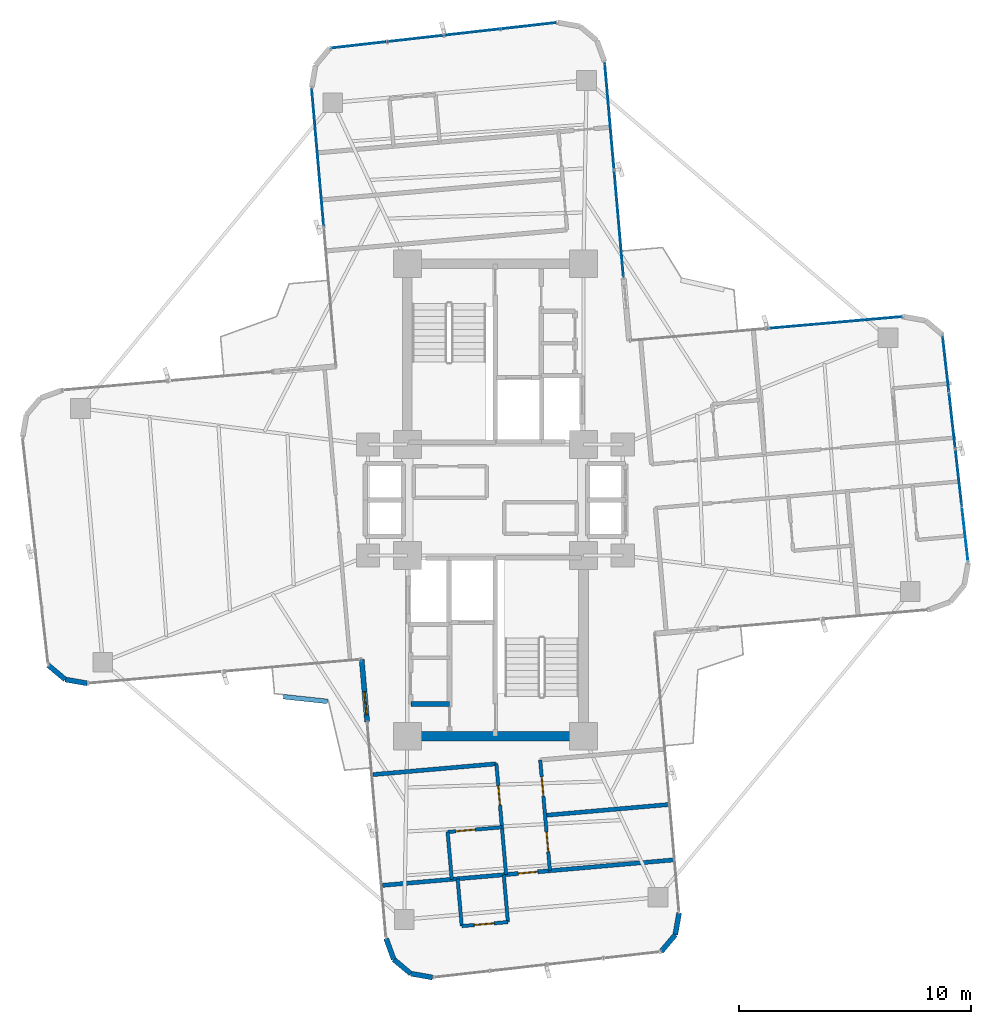
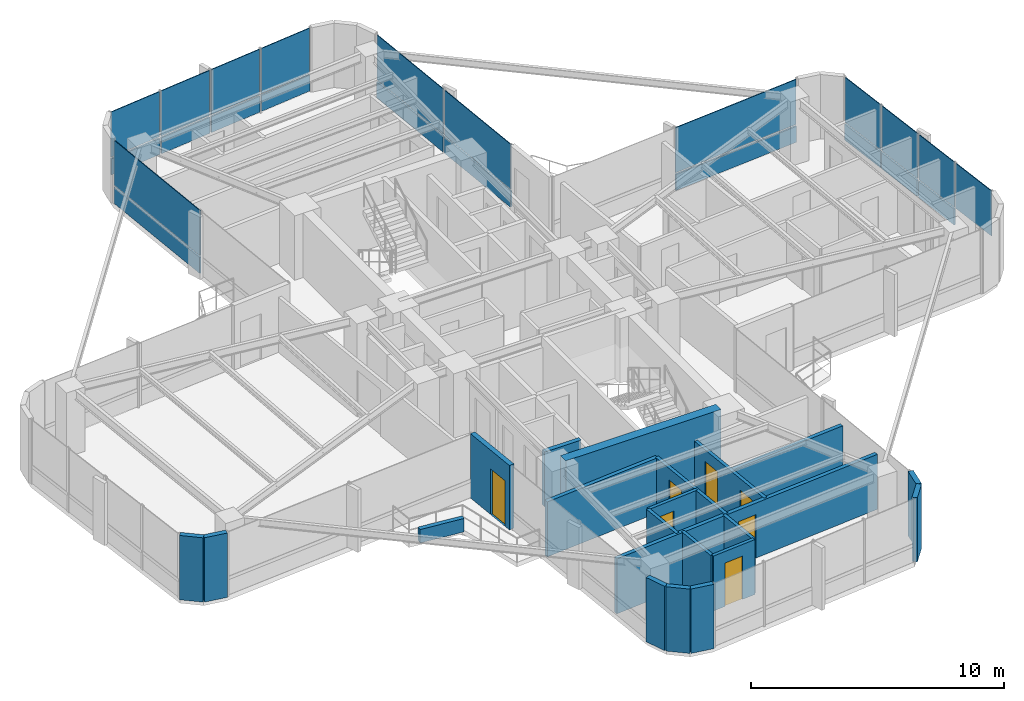
# One storey, part 20 of 24: 23 plates, 21 walls, 7 doors, 7 openings, 5 elements without a shape of their own.
"""IFC4 building model written with IfcOpenShell, lengths in metres."""

from ifc_helpers import new_model, si_unit, direction, frame, frame_2d, origin, origin_2d, place, context, subcontext, project, spatial, rectangle, extrude, source, transform, mapped, material, layer, layer_set, type_object, element, fill, aggregate, save


model = new_model("IFC4")

# Units and contexts
model_context = context("Model", 3, precision=1e-05, world=origin(), true_north=direction((0.0, 1.0)))
body_context = subcontext(model_context, "Body", "Model", "MODEL_VIEW")
ifc_project = project(units=[si_unit("LENGTHUNIT", "METRE"), si_unit("AREAUNIT", "SQUARE_METRE"), si_unit("VOLUMEUNIT", "CUBIC_METRE"), si_unit("PLANEANGLEUNIT", "RADIAN"), si_unit("MASSUNIT", "GRAM", prefix="KILO")], contexts=[model_context])

# Site, building, storey
site_placement = place(None, origin())
site = spatial("IfcSite", under=ifc_project, at=site_placement, CompositionType="ELEMENT")
building_placement = place(site_placement, origin())
building = spatial("IfcBuilding", under=site, at=building_placement, Name="Sahyath Konkavel Grand Hotel", CompositionType="ELEMENT")
storey_placement = place(building_placement, frame((0.0, 0.0, 164.0)))
storey = spatial("IfcBuildingStorey", under=building, at=storey_placement, Name="L45", CompositionType="ELEMENT", Elevation=164.0)

# Curtain wall, plates
ifc_material_1 = material(Name="Anodised Bronze Aluminium & Low-E Glazing", Category="aluminium")
curtain_wall_type = type_object("IfcCurtainWallType", Name="CW-ZONE3", PredefinedType="NOTDEFINED", material=ifc_material_1)
curtain_wall_1_placement = place(storey_placement, origin())
curtain_wall_1 = element("IfcCurtainWall", 1, at=curtain_wall_1_placement, inside=storey, type_object=curtain_wall_type, Name="L45 Unitised Curtain Wall F4", PredefinedType="NOTDEFINED")
ifc_material_2 = material(Name="Warm Buff Sandstone Cladding", Category="masonry")
ifc_layer_1 = layer(ifc_material_2, 0.074951171875)
ifc_layer_set_1 = layer_set([ifc_layer_1], Name="Warm Buff Sandstone Cladding")
plate_type_1 = type_object("IfcPlateType", Name="PNL-SPANDREL-STONE", PredefinedType="SHEET", material=ifc_layer_set_1)
shared_shape_1 = source(origin(), body_context, "Body", "SweptSolid", [
    extrude(rectangle(XDim=2.382080078125, YDim=0.074951171875, at=origin_2d()), origin(), (0.0, 0.0, 1.0), 0.77001953125),
])
plate_1_placement = place(storey_placement, frame((19.99755859375, 0.978515625, 0.0400390625), z_axis=(0.0, 0.0, 1.0), x_axis=(-0.111989252568, 0.993709417943, 0.0)))
plate_1 = element("IfcPlate", 2, at=plate_1_placement, type_object=plate_type_1, Name="L45 Sandstone Relief Spandrel Panel F4-1", PredefinedType="SHEET", context=body_context, shape_type="MappedRepresentation", body=[
    mapped(shared_shape_1, transform((0.0, 0.0, 0.0), scale=1.0)),
])
plate_2_placement = place(storey_placement, frame((19.7216796875, 3.425048828125, 0.0400390625), z_axis=(0.0, 0.0, 1.0), x_axis=(-0.111989252568, 0.993709417943, 0.0)))
plate_2 = element("IfcPlate", 3, at=plate_2_placement, type_object=plate_type_1, Name="L45 Sandstone Relief Spandrel Panel F4-2", PredefinedType="SHEET", context=body_context, shape_type="MappedRepresentation", body=[
    mapped(shared_shape_1, transform((0.0, 0.0, 0.0), scale=1.0)),
])
plate_3_placement = place(storey_placement, frame((19.446044921875, 5.87158203125, 0.0400390625), z_axis=(0.0, 0.0, 1.0), x_axis=(-0.111989252568, 0.993709417943, 0.0)))
plate_3 = element("IfcPlate", 4, at=plate_3_placement, type_object=plate_type_1, Name="L45 Sandstone Relief Spandrel Panel F4-3", PredefinedType="SHEET", context=body_context, shape_type="MappedRepresentation", body=[
    mapped(shared_shape_1, transform((0.0, 0.0, 0.0), scale=1.0)),
])

curtain_wall_2_placement = place(storey_placement, origin())
curtain_wall_2 = element("IfcCurtainWall", 5, at=curtain_wall_2_placement, inside=storey, type_object=curtain_wall_type, Name="L45 Unitised Curtain Wall F12", PredefinedType="NOTDEFINED")
plate_4_placement = place(storey_placement, frame((1.45068359375, 20.47265625, 0.0400390625), z_axis=(0.0, 0.0, 1.0), x_axis=(-0.993707463211, -0.112006596052, 0.0)))
plate_4 = element("IfcPlate", 6, at=plate_4_placement, type_object=plate_type_1, Name="L45 Sandstone Relief Spandrel Panel F12-0", PredefinedType="SHEET", context=body_context, shape_type="MappedRepresentation", body=[
    mapped(shared_shape_1, transform((0.0, 0.0, 0.0), scale=1.0)),
])
plate_5_placement = place(storey_placement, frame((-0.995849609375, 20.197021484375, 0.0400390625), z_axis=(0.0, 0.0, 1.0), x_axis=(-0.993707463211, -0.112006596052, 0.0)))
plate_5 = element("IfcPlate", 7, at=plate_5_placement, type_object=plate_type_1, Name="L45 Sandstone Relief Spandrel Panel F12-1", PredefinedType="SHEET", context=body_context, shape_type="MappedRepresentation", body=[
    mapped(shared_shape_1, transform((0.0, 0.0, 0.0), scale=1.0)),
])
plate_6_placement = place(storey_placement, frame((-3.4423828125, 19.921142578125, 0.0400390625), z_axis=(0.0, 0.0, 1.0), x_axis=(-0.993707463211, -0.112006596052, 0.0)))
plate_6 = element("IfcPlate", 8, at=plate_6_placement, type_object=plate_type_1, Name="L45 Sandstone Relief Spandrel Panel F12-2", PredefinedType="SHEET", context=body_context, shape_type="MappedRepresentation", body=[
    mapped(shared_shape_1, transform((0.0, 0.0, 0.0), scale=1.0)),
])
plate_7_placement = place(storey_placement, frame((-5.888916015625, 19.6455078125, 0.0400390625), z_axis=(0.0, 0.0, 1.0), x_axis=(-0.993707463211, -0.112006596052, 0.0)))
plate_7 = element("IfcPlate", 9, at=plate_7_placement, type_object=plate_type_1, Name="L45 Sandstone Relief Spandrel Panel F12-3", PredefinedType="SHEET", context=body_context, shape_type="MappedRepresentation", body=[
    mapped(shared_shape_1, transform((0.0, 0.0, 0.0), scale=1.0)),
])

# Curtain wall, plate
curtain_wall_3_placement = place(storey_placement, origin())
curtain_wall_3 = element("IfcCurtainWall", 10, at=curtain_wall_3_placement, inside=storey, type_object=curtain_wall_type, Name="L45 Unitised Curtain Wall F7", PredefinedType="NOTDEFINED")
shared_shape_2 = source(origin(), body_context, "Body", "SweptSolid", [
    extrude(rectangle(XDim=5.830078125, YDim=0.074951171875, at=origin_2d()), origin(), (0.0, 0.0, 1.0), 0.77001953125),
])
plate_8_placement = place(storey_placement, frame((14.6435546875, 7.655517578125, 0.0400390625), z_axis=(0.0, 0.0, 1.0), x_axis=(-0.996194698092, -0.087155742748, 0.0)))
plate_8 = element("IfcPlate", 11, at=plate_8_placement, type_object=plate_type_1, Name="L45 Sandstone Relief Spandrel Panel F7-0", PredefinedType="SHEET", context=body_context, shape_type="MappedRepresentation", body=[
    mapped(shared_shape_2, transform((0.0, 0.0, 0.0), scale=1.0)),
])

# Curtain wall, plates
curtain_wall_4_placement = place(storey_placement, origin())
curtain_wall_4 = element("IfcCurtainWall", 12, at=curtain_wall_4_placement, inside=storey, type_object=curtain_wall_type, Name="L45 Unitised Curtain Wall F8", PredefinedType="NOTDEFINED")
shared_shape_3 = source(origin(), body_context, "Body", "SweptSolid", [
    extrude(rectangle(XDim=4.580078125, YDim=0.074951171875, at=origin_2d()), origin(), (0.0, 0.0, 1.0), 0.77001953125),
])
plate_9_placement = place(storey_placement, frame((5.33056640625, 11.929931640625, 0.0400390625), z_axis=(0.0, 0.0, 1.0), x_axis=(-0.087155742748, 0.996194698092, 0.0)))
plate_9 = element("IfcPlate", 13, at=plate_9_placement, type_object=plate_type_1, Name="L45 Sandstone Relief Spandrel Panel F8-0", PredefinedType="SHEET", context=body_context, shape_type="MappedRepresentation", body=[
    mapped(shared_shape_3, transform((0.0, 0.0, 0.0), scale=1.0)),
])
plate_10_placement = place(storey_placement, frame((4.92431640625, 16.572265625, 0.0400390625), z_axis=(0.0, 0.0, 1.0), x_axis=(-0.087155742748, 0.996194698092, 0.0)))
plate_10 = element("IfcPlate", 14, at=plate_10_placement, type_object=plate_type_1, Name="L45 Sandstone Relief Spandrel Panel F8-1", PredefinedType="SHEET", context=body_context, shape_type="MappedRepresentation", body=[
    mapped(shared_shape_3, transform((0.0, 0.0, 0.0), scale=1.0)),
])

# Curtain wall, plate
curtain_wall_5_placement = place(storey_placement, origin())
curtain_wall_5 = element("IfcCurtainWall", 15, at=curtain_wall_5_placement, inside=storey, type_object=curtain_wall_type, Name="L45 Unitised Curtain Wall F15", PredefinedType="NOTDEFINED")
shared_shape_4 = source(origin(), body_context, "Body", "SweptSolid", [
    extrude(rectangle(XDim=5.929931640625, YDim=0.074951171875, at=origin_2d()), origin(), (0.0, 0.0, 1.0), 0.77001953125),
])
plate_11_placement = place(storey_placement, frame((-7.66845703125, 14.79296875, 0.0400390625), z_axis=(0.0, 0.0, 1.0), x_axis=(0.087155742748, -0.996194698092, 0.0)))
plate_11 = element("IfcPlate", 16, at=plate_11_placement, type_object=plate_type_1, Name="L45 Sandstone Relief Spandrel Panel F15-0", PredefinedType="SHEET", context=body_context, shape_type="MappedRepresentation", body=[
    mapped(shared_shape_4, transform((0.0, 0.0, 0.0), scale=1.0)),
])

# Plate
ifc_material_3 = material(Name="Low-E Solar Control Double Glazing", Category="glass")
ifc_layer_2 = layer(ifc_material_3, 0.035888671875)
ifc_layer_set_2 = layer_set([ifc_layer_2], Name="Low-E Solar Control Double Glazing")
plate_type_2 = type_object("IfcPlateType", Name="PNL-VISION-LOWE", PredefinedType="CURTAIN_PANEL", material=ifc_layer_set_2)
shared_shape_5 = source(origin(), body_context, "Body", "SweptSolid", [
    extrude(rectangle(XDim=2.382080078125, YDim=0.035888671875, at=origin_2d()), origin(), (0.0, 0.0, 1.0), 2.179931640625),
])
plate_12_placement = place(storey_placement, frame((20.2734375, -1.468017578125, 0.89013671875), z_axis=(0.0, 0.0, 1.0), x_axis=(-0.111989252568, 0.993709417943, 0.0)))
plate_12 = element("IfcPlate", 17, at=plate_12_placement, type_object=plate_type_2, Name="L45 Low-E Vision Glazing Panel F4-0", PredefinedType="CURTAIN_PANEL", context=body_context, shape_type="MappedRepresentation", body=[
    mapped(shared_shape_5, transform((0.0, 0.0, 0.0), scale=1.0)),
])

plate_13_placement = place(storey_placement, frame((19.99755859375, 0.978515625, 0.89013671875), z_axis=(0.0, 0.0, 1.0), x_axis=(-0.111989252568, 0.993709417943, 0.0)))
plate_13 = element("IfcPlate", 18, at=plate_13_placement, type_object=plate_type_2, Name="L45 Low-E Vision Glazing Panel F4-1", PredefinedType="CURTAIN_PANEL", context=body_context, shape_type="MappedRepresentation", body=[
    mapped(shared_shape_5, transform((0.0, 0.0, 0.0), scale=1.0)),
])

plate_14_placement = place(storey_placement, frame((19.7216796875, 3.425048828125, 0.89013671875), z_axis=(0.0, 0.0, 1.0), x_axis=(-0.111989252568, 0.993709417943, 0.0)))
plate_14 = element("IfcPlate", 19, at=plate_14_placement, type_object=plate_type_2, Name="L45 Low-E Vision Glazing Panel F4-2", PredefinedType="CURTAIN_PANEL", context=body_context, shape_type="MappedRepresentation", body=[
    mapped(shared_shape_5, transform((0.0, 0.0, 0.0), scale=1.0)),
])

plate_15_placement = place(storey_placement, frame((19.446044921875, 5.87158203125, 0.89013671875), z_axis=(0.0, 0.0, 1.0), x_axis=(-0.111989252568, 0.993709417943, 0.0)))
plate_15 = element("IfcPlate", 20, at=plate_15_placement, type_object=plate_type_2, Name="L45 Low-E Vision Glazing Panel F4-3", PredefinedType="CURTAIN_PANEL", context=body_context, shape_type="MappedRepresentation", body=[
    mapped(shared_shape_5, transform((0.0, 0.0, 0.0), scale=1.0)),
])

aggregate(curtain_wall_1, [plate_12, plate_1, plate_13, plate_2, plate_14, plate_3, plate_15])

plate_16_placement = place(storey_placement, frame((1.45068359375, 20.47265625, 0.89013671875), z_axis=(0.0, 0.0, 1.0), x_axis=(-0.993707463211, -0.112006596052, 0.0)))
plate_16 = element("IfcPlate", 21, at=plate_16_placement, type_object=plate_type_2, Name="L45 Low-E Vision Glazing Panel F12-0", PredefinedType="CURTAIN_PANEL", context=body_context, shape_type="MappedRepresentation", body=[
    mapped(shared_shape_5, transform((0.0, 0.0, 0.0), scale=1.0)),
])

plate_17_placement = place(storey_placement, frame((-0.995849609375, 20.197021484375, 0.89013671875), z_axis=(0.0, 0.0, 1.0), x_axis=(-0.993707463211, -0.112006596052, 0.0)))
plate_17 = element("IfcPlate", 22, at=plate_17_placement, type_object=plate_type_2, Name="L45 Low-E Vision Glazing Panel F12-1", PredefinedType="CURTAIN_PANEL", context=body_context, shape_type="MappedRepresentation", body=[
    mapped(shared_shape_5, transform((0.0, 0.0, 0.0), scale=1.0)),
])

plate_18_placement = place(storey_placement, frame((-3.4423828125, 19.921142578125, 0.89013671875), z_axis=(0.0, 0.0, 1.0), x_axis=(-0.993707463211, -0.112006596052, 0.0)))
plate_18 = element("IfcPlate", 23, at=plate_18_placement, type_object=plate_type_2, Name="L45 Low-E Vision Glazing Panel F12-2", PredefinedType="CURTAIN_PANEL", context=body_context, shape_type="MappedRepresentation", body=[
    mapped(shared_shape_5, transform((0.0, 0.0, 0.0), scale=1.0)),
])

plate_19_placement = place(storey_placement, frame((-5.888916015625, 19.6455078125, 0.89013671875), z_axis=(0.0, 0.0, 1.0), x_axis=(-0.993707463211, -0.112006596052, 0.0)))
plate_19 = element("IfcPlate", 24, at=plate_19_placement, type_object=plate_type_2, Name="L45 Low-E Vision Glazing Panel F12-3", PredefinedType="CURTAIN_PANEL", context=body_context, shape_type="MappedRepresentation", body=[
    mapped(shared_shape_5, transform((0.0, 0.0, 0.0), scale=1.0)),
])

aggregate(curtain_wall_2, [plate_4, plate_16, plate_5, plate_17, plate_6, plate_18, plate_7, plate_19])

shared_shape_6 = source(origin(), body_context, "Body", "SweptSolid", [
    extrude(rectangle(XDim=5.830078125, YDim=0.035888671875, at=origin_2d()), origin(), (0.0, 0.0, 1.0), 2.179931640625),
])
plate_20_placement = place(storey_placement, frame((14.6435546875, 7.655517578125, 0.89013671875), z_axis=(0.0, 0.0, 1.0), x_axis=(-0.996194698092, -0.087155742748, 0.0)))
plate_20 = element("IfcPlate", 25, at=plate_20_placement, type_object=plate_type_2, Name="L45 Low-E Vision Glazing Panel F7-0", PredefinedType="CURTAIN_PANEL", context=body_context, shape_type="MappedRepresentation", body=[
    mapped(shared_shape_6, transform((0.0, 0.0, 0.0), scale=1.0)),
])

aggregate(curtain_wall_3, [plate_8, plate_20])

shared_shape_7 = source(origin(), body_context, "Body", "SweptSolid", [
    extrude(rectangle(XDim=4.580078125, YDim=0.035888671875, at=origin_2d()), origin(), (0.0, 0.0, 1.0), 2.179931640625),
])
plate_21_placement = place(storey_placement, frame((5.33056640625, 11.929931640625, 0.89013671875), z_axis=(0.0, 0.0, 1.0), x_axis=(-0.087155742748, 0.996194698092, 0.0)))
plate_21 = element("IfcPlate", 26, at=plate_21_placement, type_object=plate_type_2, Name="L45 Low-E Vision Glazing Panel F8-0", PredefinedType="CURTAIN_PANEL", context=body_context, shape_type="MappedRepresentation", body=[
    mapped(shared_shape_7, transform((0.0, 0.0, 0.0), scale=1.0)),
])

plate_22_placement = place(storey_placement, frame((4.92431640625, 16.572265625, 0.89013671875), z_axis=(0.0, 0.0, 1.0), x_axis=(-0.087155742748, 0.996194698092, 0.0)))
plate_22 = element("IfcPlate", 27, at=plate_22_placement, type_object=plate_type_2, Name="L45 Low-E Vision Glazing Panel F8-1", PredefinedType="CURTAIN_PANEL", context=body_context, shape_type="MappedRepresentation", body=[
    mapped(shared_shape_7, transform((0.0, 0.0, 0.0), scale=1.0)),
])

aggregate(curtain_wall_4, [plate_9, plate_21, plate_10, plate_22])

shared_shape_8 = source(origin(), body_context, "Body", "SweptSolid", [
    extrude(rectangle(XDim=5.929931640625, YDim=0.035888671875, at=origin_2d()), origin(), (0.0, 0.0, 1.0), 2.179931640625),
])
plate_23_placement = place(storey_placement, frame((-7.66845703125, 14.79296875, 0.89013671875), z_axis=(0.0, 0.0, 1.0), x_axis=(0.087155742748, -0.996194698092, 0.0)))
plate_23 = element("IfcPlate", 28, at=plate_23_placement, type_object=plate_type_2, Name="L45 Low-E Vision Glazing Panel F15-0", PredefinedType="CURTAIN_PANEL", context=body_context, shape_type="MappedRepresentation", body=[
    mapped(shared_shape_8, transform((0.0, 0.0, 0.0), scale=1.0)),
])

aggregate(curtain_wall_5, [plate_11, plate_23])

# Walls
ifc_material_4 = material(Name="Concrete C50/60", Category="concrete")
ifc_layer_3 = layer(ifc_material_4, 0.419921875)
ifc_layer_set_3 = layer_set([ifc_layer_3], Name="Concrete C50/60")
wall_type_1 = type_object("IfcWallType", Name="CWALL-420", PredefinedType="SHEAR", material=ifc_layer_set_3)
wall_1_placement = place(storey_placement, frame((-3.550048828125, -10.199951171875, 0.0), z_axis=(0.0, 0.0, 1.0), x_axis=(1.0, 0.0, 0.0)))
element("IfcWall", 29, at=wall_1_placement, inside=storey, type_object=wall_type_1, Name="L45 South Core Shear Wall S", PredefinedType="SHEAR", context=body_context, shape_type="SweptSolid", body=[
    extrude(rectangle(XDim=7.10009765625, YDim=0.419921875, at=frame_2d((3.550048828125, 0.0))), origin(), (0.0, 0.0, 1.0), 3.110107421875),
])
ifc_material_5 = material(Name="Warm Buff Sandstone Insulated Concrete C40/50", Category="masonry")
ifc_layer_4 = layer(ifc_material_5, 0.219970703125)
ifc_layer_set_4 = layer_set([ifc_layer_4], Name="Warm Buff Sandstone Insulated Concrete C40/50")
wall_type_2 = type_object("IfcWallType", Name="WLL-BALC-THRESH", PredefinedType="STANDARD", material=ifc_layer_set_4)
wall_2_placement = place(storey_placement, frame((-19.3037109375, -7.134521484375, 0.0), z_axis=(0.0, 0.0, 1.0), x_axis=(0.766001159887, -0.642839189107, 0.0)))
element("IfcWall", 30, at=wall_2_placement, inside=storey, type_object=wall_type_2, Name="L45 Rounded Corner Sandstone Pier 21", PredefinedType="STANDARD", context=body_context, shape_type="SweptSolid", body=[
    extrude(rectangle(XDim=0.95751953125, YDim=0.219970703125, at=frame_2d((0.478759765625, 0.0))), origin(), (0.0, 0.0, 1.0), 3.110107421875),
])
wall_3_placement = place(storey_placement, frame((-18.5703125, -7.75, 0.0), z_axis=(0.0, 0.0, 1.0), x_axis=(0.984770724397, -0.173858046606, 0.0)))
element("IfcWall", 31, at=wall_3_placement, inside=storey, type_object=wall_type_2, Name="L45 Rounded Corner Sandstone Pier 22", PredefinedType="STANDARD", context=body_context, shape_type="SweptSolid", body=[
    extrude(rectangle(XDim=0.957763671875, YDim=0.219970703125, at=frame_2d((0.47900390625, 0.0))), origin(), (0.0, 0.0, 1.0), 3.110107421875),
])

# Wall, opening, door
wall_4_placement = place(storey_placement, frame((-5.7724609375, -6.87939453125, 0.0), z_axis=(0.0, 0.0, 1.0), x_axis=(0.087168071984, -0.996193619346, 0.0)))
wall_4 = element("IfcWall", 32, at=wall_4_placement, inside=storey, type_object=wall_type_2, Name="L45 Winter-Garden Threshold Wall 24", PredefinedType="STANDARD", context=body_context, shape_type="SweptSolid", body=[
    extrude(rectangle(XDim=2.699951171875, YDim=0.219970703125, at=frame_2d((1.35009765625, 0.0))), origin(), (0.0, 0.0, 1.0), 3.110107421875),
])
opening_1_placement = place(wall_4_placement, frame((1.39990234375, 0.0, 0.0)))
opening_1 = element("IfcOpeningElement", 33, at=opening_1_placement, cuts=wall_4, Name="Opening D-TR1", PredefinedType="OPENING", context=body_context, shape_type="SweptSolid", body=[
    extrude(rectangle(XDim=1.0, YDim=2.199951171875, at=frame_2d((0.5, 1.10009765625))), frame((0.0, 0.1201171875, 0.0), z_axis=(0.0, -1.0, 0.0), x_axis=(1.0, 0.0, 0.0)), (0.0, 0.0, 1.0), 0.239990234375),
])
door_type_1 = type_object("IfcDoorType", Name="DR-TERRACE-1000", OperationType="NOTDEFINED", PredefinedType="DOOR", material=ifc_material_1)
shared_shape_9 = source(origin(), body_context, "Body", "SweptSolid", [
    extrude(rectangle(XDim=1.0, YDim=0.050048828125, at=origin_2d()), origin(), (0.0, 0.0, 1.0), 2.199951171875),
])
door_1_placement = place(opening_1_placement, frame((0.5, 0.0, 0.0)))
door_1 = element("IfcDoor", 34, at=door_1_placement, inside=storey, type_object=door_type_1, Name="L45 Winter-Garden Terrace Door 24", OperationType="SINGLE_SWING_LEFT", OverallHeight=2.199951171875, OverallWidth=1.0, PredefinedType="DOOR", context=body_context, shape_type="MappedRepresentation", body=[
    mapped(shared_shape_9, transform((0.0, 0.0, 0.0), scale=1.0)),
])
fill(opening_1, door_1)

# Walls
wall_5_placement = place(storey_placement, frame((-4.7177734375, -18.93310546875, 0.0), z_axis=(0.0, 0.0, 1.0), x_axis=(0.34188635151, -0.939741306239, 0.0)))
element("IfcWall", 35, at=wall_5_placement, inside=storey, type_object=wall_type_2, Name="L45 Rounded Corner Sandstone Pier 25", PredefinedType="STANDARD", context=body_context, shape_type="SweptSolid", body=[
    extrude(rectangle(XDim=0.95751953125, YDim=0.219970703125, at=frame_2d((0.478759765625, 0.0))), origin(), (0.0, 0.0, 1.0), 3.110107421875),
])
for number, where, z_axis, x_axis, name in (
    (36, (-4.390380859375, -19.8330078125, 0.0), (0.0, 0.0, 1.0), (0.765980978054, -0.642863236823, 0.0), "L45 Rounded Corner Sandstone Pier 26"),
    (37, (-3.65673828125, -20.44873046875, 0.0), (0.0, 0.0, 1.0), (0.984814340885, -0.173610811841, 0.0), "L45 Rounded Corner Sandstone Pier 27"),
):
    element("IfcWall", number, at=place(storey_placement, frame(where, z_axis=z_axis, x_axis=x_axis)), inside=storey, type_object=wall_type_2, Name=name, PredefinedType="STANDARD", context=body_context, shape_type="SweptSolid", body=[
        extrude(rectangle(XDim=0.957763671875, YDim=0.219970703125, at=frame_2d((0.47900390625, 0.0))), origin(), (0.0, 0.0, 1.0), 3.110107421875),
    ])
for number, where, z_axis, x_axis, name in (
    (38, (7.152099609375, -19.5029296875, 0.0), (0.0, 0.0, 1.0), (0.642713642115, 0.766106503196, 0.0), "L45 Rounded Corner Sandstone Pier 29"),
    (39, (7.767578125, -18.769287109375, 0.0), (0.0, 0.0, 1.0), (0.173654409999, 0.984806654064, 0.0), "L45 Rounded Corner Sandstone Pier 30"),
):
    element("IfcWall", number, at=place(storey_placement, frame(where, z_axis=z_axis, x_axis=x_axis)), inside=storey, type_object=wall_type_2, Name=name, PredefinedType="STANDARD", context=body_context, shape_type="SweptSolid", body=[
        extrude(rectangle(XDim=0.95751953125, YDim=0.219970703125, at=frame_2d((0.478759765625, 0.0))), origin(), (0.0, 0.0, 1.0), 3.110107421875),
    ])
ifc_material_6 = material(Name="Concrete C40/50", Category="concrete")
ifc_layer_5 = layer(ifc_material_6, 0.199951171875)
ifc_layer_set_5 = layer_set([ifc_layer_5], Name="Concrete C40/50")
wall_type_3 = type_object("IfcWallType", Name="WLL-CORE-200", PredefinedType="SOLIDWALL", material=ifc_layer_set_5)
wall_6_placement = place(storey_placement, frame((-3.64990234375, -8.81005859375, 0.0), z_axis=(0.0, 0.0, 1.0), x_axis=(1.0, 0.0, 0.0)))
element("IfcWall", 40, at=wall_6_placement, inside=storey, type_object=wall_type_3, Name="L45 Partition SC-REC-S", PredefinedType="SOLIDWALL", context=body_context, shape_type="SweptSolid", body=[
    extrude(rectangle(XDim=1.669921875, YDim=0.199951171875, at=frame_2d((0.8349609375, 0.0))), origin(), (0.0, 0.0, 1.0), 2.659912109375),
])
ifc_material_7 = material(Name="Twin-Stud Acoustic Gypsum Plasterboard Partition")
ifc_layer_6 = layer(ifc_material_7, 0.179931640625)
ifc_layer_set_6 = layer_set([ifc_layer_6], Name="Twin-Stud Acoustic Gypsum Plasterboard Partition")
wall_type_4 = type_object("IfcWallType", Name="WLL-DEMISE-180", PredefinedType="PARTITIONING", material=ifc_layer_set_6)
for number, where, z_axis, x_axis, name in (
    (41, (-5.286865234375, -11.85595703125, 0.0), (0.0, 0.0, 1.0), (0.996194212812, 0.087161289348, 0.0), "L45 Partition S-INR"),
    (42, (2.144775390625, -13.614990234375, 0.0), (0.0, 0.0, 1.0), (0.996194212812, 0.087161289348, 0.0), "L45 Partition S-S4L1-DEM"),
):
    element("IfcWall", number, at=place(storey_placement, frame(where, z_axis=z_axis, x_axis=x_axis)), inside=storey, type_object=wall_type_4, Name=name, PredefinedType="PARTITIONING", context=body_context, shape_type="SweptSolid", body=[
        extrude(rectangle(XDim=5.349853515625, YDim=0.179931640625, at=frame_2d((2.6748046875, 0.0))), origin(), (0.0, 0.0, 1.0), 2.659912109375),
    ])

# Wall, opening, door
wall_7_placement = place(storey_placement, frame((-4.868408203125, -16.6376953125, 0.0), z_axis=(0.0, 0.0, 1.0), x_axis=(0.996194790044, 0.087154691724, 0.0)))
wall_7 = element("IfcWall", 43, at=wall_7_placement, inside=storey, type_object=wall_type_4, Name="L45 Partition S-STIP-END", PredefinedType="PARTITIONING", context=body_context, shape_type="SweptSolid", body=[
    extrude(rectangle(XDim=12.599853515625, YDim=0.179931640625, at=frame_2d((6.2998046875, 0.0))), origin(), (0.0, 0.0, 1.0), 2.659912109375),
])
opening_2_placement = place(wall_7_placement, frame((5.875, 0.0, 0.0)))
opening_2 = element("IfcOpeningElement", 44, at=opening_2_placement, cuts=wall_7, Name="Opening D-F06D", PredefinedType="OPENING", context=body_context, shape_type="SweptSolid", body=[
    extrude(rectangle(XDim=0.85009765625, YDim=2.10009765625, at=frame_2d((0.425048828125, 1.050048828125))), frame((0.0, 0.10009765625, 0.0), z_axis=(0.0, -1.0, 0.0), x_axis=(1.0, 0.0, 0.0)), (0.0, 0.0, 1.0), 0.199951171875),
])
ifc_material_8 = material(Name="Fire-Rated Shaft Access Door")
door_type_2 = type_object("IfcDoorType", Name="DR-FD60-850", OperationType="NOTDEFINED", PredefinedType="DOOR", material=ifc_material_8)
shared_shape_10 = source(origin(), body_context, "Body", "SweptSolid", [
    extrude(rectangle(XDim=0.85009765625, YDim=0.050048828125, at=origin_2d()), origin(), (0.0, 0.0, 1.0), 2.10009765625),
])
door_2_placement = place(opening_2_placement, frame((0.425048828125, 0.0, 0.0)))
door_2 = element("IfcDoor", 45, at=door_2_placement, inside=storey, type_object=door_type_2, Name="L45 Door S-STIP-ED", OperationType="SINGLE_SWING_RIGHT", OverallHeight=2.10009765625, OverallWidth=0.85009765625, PredefinedType="DOOR", context=body_context, shape_type="MappedRepresentation", body=[
    mapped(shared_shape_10, transform((0.0, 0.0, 0.0), scale=1.0)),
])
fill(opening_2, door_2)

# Wall, openings, doors
ifc_material_9 = material(Name="Fire-Rated Gypsum Plasterboard Partition")
ifc_layer_7 = layer(ifc_material_9, 0.14990234375)
ifc_layer_set_7 = layer_set([ifc_layer_7], Name="Fire-Rated Gypsum Plasterboard Partition")
wall_type_5 = type_object("IfcWallType", Name="WLL-PART-150", PredefinedType="PARTITIONING", material=ifc_layer_set_7)
wall_8_placement = place(storey_placement, frame((1.935546875, -11.22412109375, 0.0), z_axis=(0.0, 0.0, 1.0), x_axis=(0.087182724829, -0.996192337097, 0.0)))
wall_8 = element("IfcWall", 46, at=wall_8_placement, inside=storey, type_object=wall_type_5, Name="L45 Partition S-CL", PredefinedType="PARTITIONING", context=body_context, shape_type="SweptSolid", body=[
    extrude(rectangle(XDim=4.7998046875, YDim=0.14990234375, at=frame_2d((2.39990234375, 0.0))), origin(), (0.0, 0.0, 1.0), 2.659912109375),
])
opening_3_placement = place(wall_8_placement, frame((0.72509765625, 0.0, 0.0)))
opening_3 = element("IfcOpeningElement", 47, at=opening_3_placement, cuts=wall_8, Name="Opening D-F06D", PredefinedType="OPENING", context=body_context, shape_type="SweptSolid", body=[
    extrude(rectangle(XDim=0.85009765625, YDim=2.10009765625, at=frame_2d((0.425048828125, 1.050048828125))), frame((0.0, 0.0849609375, 0.0), z_axis=(0.0, -1.0, 0.0), x_axis=(1.0, 0.0, 0.0)), (0.0, 0.0, 1.0), 0.169921875),
])
opening_4_placement = place(wall_8_placement, frame((3.125, 0.0, 0.0)))
opening_4 = element("IfcOpeningElement", 48, at=opening_4_placement, cuts=wall_8, Name="Opening D-F06D", PredefinedType="OPENING", context=body_context, shape_type="SweptSolid", body=[
    extrude(rectangle(XDim=0.85009765625, YDim=2.10009765625, at=frame_2d((0.425048828125, 1.050048828125))), frame((0.0, 0.0849609375, 0.0), z_axis=(0.0, -1.0, 0.0), x_axis=(1.0, 0.0, 0.0)), (0.0, 0.0, 1.0), 0.169921875),
])
door_3_placement = place(opening_3_placement, frame((0.425048828125, 0.0, 0.0)))
door_3 = element("IfcDoor", 49, at=door_3_placement, inside=storey, type_object=door_type_2, Name="L45 Door S-S4L1-D", OperationType="SINGLE_SWING_LEFT", OverallHeight=2.10009765625, OverallWidth=0.85009765625, PredefinedType="DOOR", context=body_context, shape_type="MappedRepresentation", body=[
    mapped(shared_shape_10, transform((0.0, 0.0, 0.0), scale=1.0)),
])
fill(opening_3, door_3)
door_4_placement = place(opening_4_placement, frame((0.425048828125, 0.0, 0.0)))
door_4 = element("IfcDoor", 50, at=door_4_placement, inside=storey, type_object=door_type_2, Name="L45 Door S-S4L2-D", OperationType="SINGLE_SWING_RIGHT", OverallHeight=2.10009765625, OverallWidth=0.85009765625, PredefinedType="DOOR", context=body_context, shape_type="MappedRepresentation", body=[
    mapped(shared_shape_10, transform((0.0, 0.0, 0.0), scale=1.0)),
])
fill(opening_4, door_4)

# Wall, opening, door
wall_9_placement = place(storey_placement, frame((0.042724609375, -11.3896484375, 0.0), z_axis=(0.0, 0.0, 1.0), x_axis=(0.087178307383, -0.996192723684, 0.0)))
wall_9 = element("IfcWall", 51, at=wall_9_placement, inside=storey, type_object=wall_type_5, Name="L45 Partition S-CR", PredefinedType="PARTITIONING", context=body_context, shape_type="SweptSolid", body=[
    extrude(rectangle(XDim=4.800048828125, YDim=0.14990234375, at=frame_2d((2.39990234375, 0.0))), origin(), (0.0, 0.0, 1.0), 2.659912109375),
])
opening_5_placement = place(wall_9_placement, frame((0.949951171875, 0.0, 0.0)))
opening_5 = element("IfcOpeningElement", 52, at=opening_5_placement, cuts=wall_9, Name="Opening D-F06D", PredefinedType="OPENING", context=body_context, shape_type="SweptSolid", body=[
    extrude(rectangle(XDim=0.85009765625, YDim=2.10009765625, at=frame_2d((0.425048828125, 1.050048828125))), frame((0.0, 0.0849609375, 0.0), z_axis=(0.0, -1.0, 0.0), x_axis=(1.0, 0.0, 0.0)), (0.0, 0.0, 1.0), 0.169921875),
])
door_5_placement = place(opening_5_placement, frame((0.425048828125, 0.0, 0.0)))
door_5 = element("IfcDoor", 53, at=door_5_placement, inside=storey, type_object=door_type_2, Name="L45 Door S-S4R1-ED", OperationType="SINGLE_SWING_RIGHT", OverallHeight=2.10009765625, OverallWidth=0.85009765625, PredefinedType="DOOR", context=body_context, shape_type="MappedRepresentation", body=[
    mapped(shared_shape_10, transform((0.0, 0.0, 0.0), scale=1.0)),
])
fill(opening_5, door_5)

wall_10_placement = place(storey_placement, frame((0.282470703125, -14.129150390625, 0.0), z_axis=(0.0, 0.0, 1.0), x_axis=(-0.996197656711, -0.087121918963, 0.0)))
wall_10 = element("IfcWall", 54, at=wall_10_placement, inside=storey, type_object=wall_type_5, Name="L45 Partition S-S4R1-BS", PredefinedType="PARTITIONING", context=body_context, shape_type="SweptSolid", body=[
    extrude(rectangle(XDim=2.35400390625, YDim=0.14990234375, at=frame_2d((1.177001953125, 0.0))), origin(), (0.0, 0.0, 1.0), 2.659912109375),
])
opening_6_placement = place(wall_10_placement, frame((1.154052734375, 0.0, 0.0)))
opening_6 = element("IfcOpeningElement", 55, at=opening_6_placement, cuts=wall_10, Name="Opening D-BT85", PredefinedType="OPENING", context=body_context, shape_type="SweptSolid", body=[
    extrude(rectangle(XDim=0.85009765625, YDim=2.10009765625, at=frame_2d((0.425048828125, 1.050048828125))), frame((0.0, 0.0849609375, 0.0), z_axis=(0.0, -1.0, 0.0), x_axis=(1.0, 0.0, 0.0)), (0.0, 0.0, 1.0), 0.169921875),
])
ifc_material_10 = material(Name="Moisture-Resistant Teak Bathroom Door")
door_type_3 = type_object("IfcDoorType", Name="DR-BATH-850", OperationType="NOTDEFINED", PredefinedType="DOOR", material=ifc_material_10)
door_6_placement = place(opening_6_placement, frame((0.425048828125, 0.0, 0.0)))
door_6 = element("IfcDoor", 56, at=door_6_placement, inside=storey, type_object=door_type_3, Name="L45 Door S-S4R1-BD", OperationType="SINGLE_SWING_LEFT", OverallHeight=2.10009765625, OverallWidth=0.85009765625, PredefinedType="DOOR", context=body_context, shape_type="MappedRepresentation", body=[
    mapped(shared_shape_10, transform((0.0, 0.0, 0.0), scale=1.0)),
])
fill(opening_6, door_6)

# Walls
for number, where, z_axis, x_axis, name in (
    (57, (-2.0625, -14.334228515625, 0.0), (0.0, 0.0, 1.0), (0.087174336889, -0.99619307114, 0.0), "L45 Partition S-S4R1-BF"),
    (58, (0.361572265625, -16.18017578125, 0.0), (0.0, 0.0, 1.0), (0.087174336889, -0.99619307114, 0.0), "L45 Partition S-STIP-BN"),
):
    element("IfcWall", number, at=place(storey_placement, frame(where, z_axis=z_axis, x_axis=x_axis)), inside=storey, type_object=wall_type_5, Name=name, PredefinedType="PARTITIONING", context=body_context, shape_type="SweptSolid", body=[
        extrude(rectangle(XDim=2.050048828125, YDim=0.14990234375, at=frame_2d((1.02490234375, 0.0))), origin(), (0.0, 0.0, 1.0), 2.659912109375),
    ])
wall_11_placement = place(storey_placement, frame((-1.630859375, -16.3544921875, 0.0), z_axis=(0.0, 0.0, 1.0), x_axis=(0.087184680235, -0.996192165966, 0.0)))
element("IfcWall", 59, at=wall_11_placement, inside=storey, type_object=wall_type_5, Name="L45 Partition S-STIP-BS", PredefinedType="PARTITIONING", context=body_context, shape_type="SweptSolid", body=[
    extrude(rectangle(XDim=2.0498046875, YDim=0.14990234375, at=frame_2d((1.02490234375, 0.0))), origin(), (0.0, 0.0, 1.0), 2.659912109375),
])

# Wall, opening, door
wall_12_placement = place(storey_placement, frame((-1.4521484375, -18.396484375, 0.0), z_axis=(0.0, 0.0, 1.0), x_axis=(0.996205236158, 0.087035208109, 0.0)))
wall_12 = element("IfcWall", 60, at=wall_12_placement, inside=storey, type_object=wall_type_5, Name="L45 Partition S-STIP-BE", PredefinedType="PARTITIONING", context=body_context, shape_type="SweptSolid", body=[
    extrude(rectangle(XDim=2.0, YDim=0.14990234375, at=frame_2d((1.0, 0.0))), origin(), (0.0, 0.0, 1.0), 2.659912109375),
])
opening_7_placement = place(wall_12_placement, frame((0.550048828125, 0.0, 0.0)))
opening_7 = element("IfcOpeningElement", 61, at=opening_7_placement, cuts=wall_12, Name="Opening D-BT85", PredefinedType="OPENING", context=body_context, shape_type="SweptSolid", body=[
    extrude(rectangle(XDim=0.85009765625, YDim=2.10009765625, at=frame_2d((0.425048828125, 1.050048828125))), frame((0.0, 0.0849609375, 0.0), z_axis=(0.0, -1.0, 0.0), x_axis=(1.0, 0.0, 0.0)), (0.0, 0.0, 1.0), 0.169921875),
])
door_7_placement = place(opening_7_placement, frame((0.425048828125, 0.0, 0.0)))
door_7 = element("IfcDoor", 62, at=door_7_placement, inside=storey, type_object=door_type_3, Name="L45 Door S-STIP-BD", OperationType="SINGLE_SWING_LEFT", OverallHeight=2.10009765625, OverallWidth=0.85009765625, PredefinedType="DOOR", context=body_context, shape_type="MappedRepresentation", body=[
    mapped(shared_shape_10, transform((0.0, 0.0, 0.0), scale=1.0)),
])
fill(opening_7, door_7)

# Wall
ifc_material_11 = material(Name="Warm Buff Sandstone Planter Wall", Category="masonry")
ifc_layer_8 = layer(ifc_material_11, 0.199951171875)
ifc_layer_set_8 = layer_set([ifc_layer_8], Name="Warm Buff Sandstone Planter Wall")
wall_type_6 = type_object("IfcWallType", Name="WLL-PLANTER-200", PredefinedType="PARAPET", material=ifc_layer_set_8)
wall_13_placement = place(storey_placement, frame((-9.14990234375, -8.492919921875, 0.0), z_axis=(0.0, 0.0, 1.0), x_axis=(0.994281055995, -0.106795045248, 0.0)))
element("IfcWall", 63, at=wall_13_placement, inside=storey, type_object=wall_type_6, Name="L45 Sky-Garden Stone Planter PLANTER SW", PredefinedType="PARAPET", context=body_context, shape_type="SweptSolid", body=[
    extrude(rectangle(XDim=1.908935546875, YDim=0.199951171875, at=frame_2d((0.95458984375, 0.0))), origin(), (0.0, 0.0, 1.0), 0.64990234375),
])

save(model, "model.ifc")
